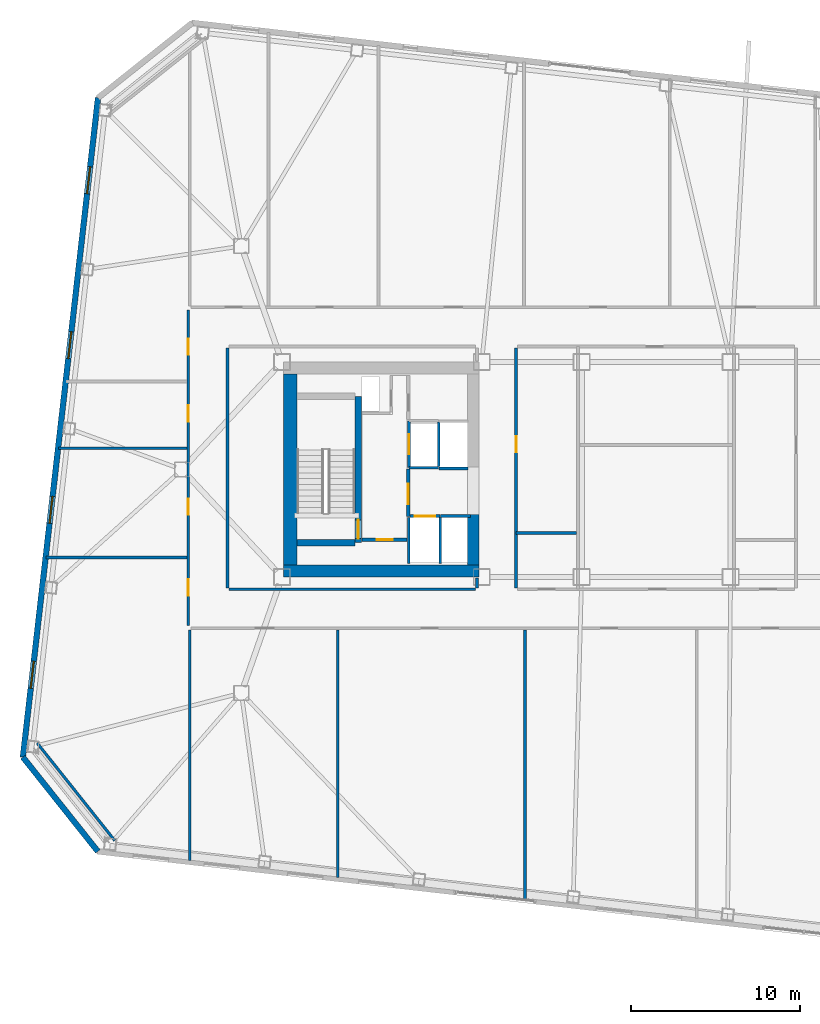
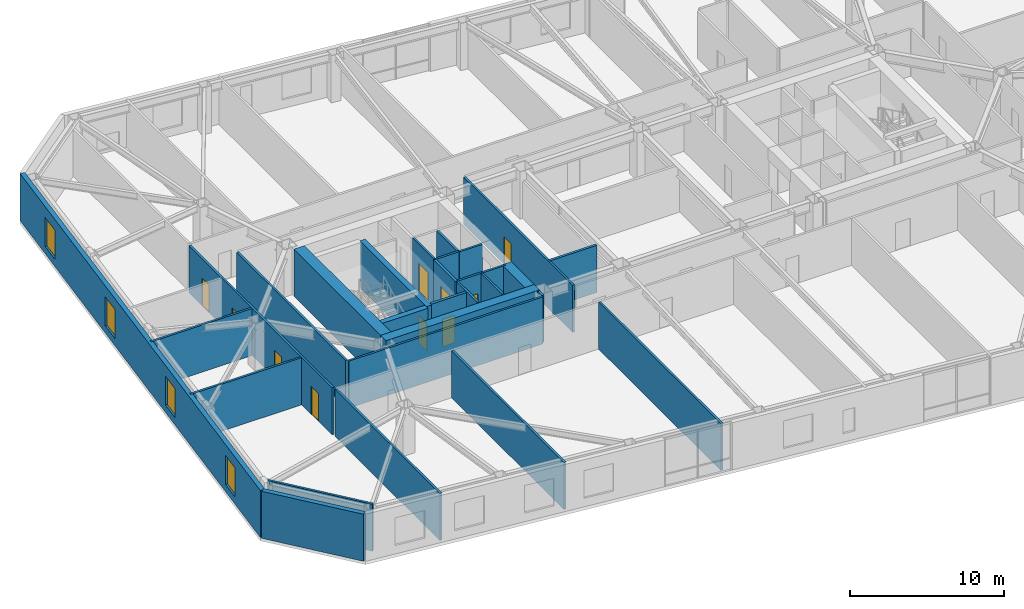
# One storey, part 12 of 21: 29 walls, 10 doors, 4 windows, 14 openings.
"""IFC4 building model written with IfcOpenShell, lengths in metres."""

from ifc_helpers import new_model, si_unit, direction, frame, frame_2d, origin, place, context, subcontext, project, spatial, rectangle, extrude, material, layer, layer_set, type_object, element, fill, save


model = new_model("IFC4")

# Units and contexts
model_context = context("Model", 3, precision=1e-05, world=origin(), true_north=direction((0.0, 1.0)))
body_context = subcontext(model_context, "Body", "Model", "MODEL_VIEW")
ifc_project = project(units=[si_unit("LENGTHUNIT", "METRE"), si_unit("AREAUNIT", "SQUARE_METRE"), si_unit("VOLUMEUNIT", "CUBIC_METRE"), si_unit("PLANEANGLEUNIT", "RADIAN"), si_unit("MASSUNIT", "GRAM", prefix="KILO")], contexts=[model_context])

# Site, building, storey
site_placement = place(None, origin())
site = spatial("IfcSite", under=ifc_project, at=site_placement, CompositionType="ELEMENT")
building_placement = place(site_placement, origin())
building = spatial("IfcBuilding", under=site, at=building_placement, Name="Tavrogorsk Clinical Tower", CompositionType="ELEMENT")
storey_placement = place(building_placement, frame((0.0, 0.0, 121.39990234375)))
storey = spatial("IfcBuildingStorey", under=building, at=storey_placement, Name="L27", CompositionType="ELEMENT", Elevation=121.39990234375)

# Wall, opening, door
ifc_material_1 = material(Name="Concrete B60", Category="concrete")
ifc_layer_1 = layer(ifc_material_1, 0.199951171875)
ifc_layer_set_1 = layer_set([ifc_layer_1], Name="Concrete B60")
wall_type_1 = type_object("IfcWallType", Name="CoreFireWall_200", PredefinedType="SOLIDWALL", material=ifc_layer_set_1)
wall_1_placement = place(storey_placement, frame((-17.3798828125, -4.139892578125, 0.0), z_axis=(0.0, 0.0, 1.0), x_axis=(1.0, 0.0, 0.0)))
wall_1 = element("IfcWall", 1, at=wall_1_placement, inside=storey, type_object=wall_type_1, Name="L27 Core West South Core Room Fire Wall", PredefinedType="SOLIDWALL", context=body_context, shape_type="SweptSolid", body=[
    extrude(rectangle(XDim=2.659912109375, YDim=0.199951171875, at=frame_2d((1.330078125, 0.0))), origin(), (0.0, 0.0, 1.0), 3.739990234375),
])
opening_1_placement = place(wall_1_placement, frame((0.8798828125, 0.0, 0.0)))
opening_1 = element("IfcOpeningElement", 2, at=opening_1_placement, cuts=wall_1, Name="Opening ID-02", PredefinedType="OPENING", context=body_context, shape_type="SweptSolid", body=[
    extrude(rectangle(XDim=0.949951171875, YDim=2.199951171875, at=frame_2d((0.47509765625, 1.10009765625))), frame((0.0, 0.10986328125, 0.0), z_axis=(0.0, -1.0, 0.0), x_axis=(1.0, 0.0, 0.0)), (0.0, 0.0, 1.0), 0.219970703125),
])
ifc_material_2 = material(Name="Laminated timber leaf on aluminium frame", Category="wood")
door_type_1 = type_object("IfcDoorType", Name="InteriorDoor_ID02_950", OperationType="NOTDEFINED", PredefinedType="DOOR", material=ifc_material_2)
door_1_placement = place(opening_1_placement, origin())
door_1 = element("IfcDoor", 3, at=door_1_placement, inside=storey, type_object=door_type_1, Name="L27 Core West South Core Room Door", OperationType="SINGLE_SWING_RIGHT", OverallHeight=2.199951171875, OverallWidth=0.949951171875, PredefinedType="DOOR", context=body_context, shape_type="SweptSolid", body=[
    extrude(rectangle(XDim=0.949951171875, YDim=2.199951171875, at=frame_2d((0.47509765625, 1.10009765625))), frame((0.0, 0.02490234375, 0.0), z_axis=(0.0, -1.0, 0.0), x_axis=(1.0, 0.0, 0.0)), (0.0, 0.0, 1.0), 0.050048828125),
])
fill(opening_1, door_1)

wall_2_placement = place(storey_placement, frame((-14.639892578125, -2.780029296875, 0.0), z_axis=(0.0, 0.0, 1.0), x_axis=(0.0, 1.0, 0.0)))
wall_2 = element("IfcWall", 4, at=wall_2_placement, inside=storey, type_object=wall_type_1, Name="L27 Core West Firefighting Lobby Fire Wall", PredefinedType="SOLIDWALL", context=body_context, shape_type="SweptSolid", body=[
    extrude(rectangle(XDim=2.820068359375, YDim=0.199951171875, at=frame_2d((1.41015625, 0.0))), origin(), (0.0, 0.0, 1.0), 3.739990234375),
])
opening_2_placement = place(wall_2_placement, frame((0.72998046875, 0.0, 0.0)))
opening_2 = element("IfcOpeningElement", 5, at=opening_2_placement, cuts=wall_2, Name="Opening FD-01", PredefinedType="OPENING", context=body_context, shape_type="SweptSolid", body=[
    extrude(rectangle(XDim=1.199951171875, YDim=2.199951171875, at=frame_2d((0.60009765625, 1.10009765625))), frame((0.0, 0.10986328125, 0.0), z_axis=(0.0, -1.0, 0.0), x_axis=(1.0, 0.0, 0.0)), (0.0, 0.0, 1.0), 0.219970703125),
])
ifc_material_3 = material(Name="Galvanised steel fire-rated door assembly", Category="steel")
door_type_2 = type_object("IfcDoorType", Name="FireDoor_FD01_1200", OperationType="NOTDEFINED", PredefinedType="DOOR", material=ifc_material_3)
door_2_placement = place(opening_2_placement, origin())
door_2 = element("IfcDoor", 6, at=door_2_placement, inside=storey, type_object=door_type_2, Name="L27 Core West Firefighting Lobby Entry Door", OperationType="SINGLE_SWING_RIGHT", OverallHeight=2.199951171875, OverallWidth=1.199951171875, PredefinedType="DOOR", context=body_context, shape_type="SweptSolid", body=[
    extrude(rectangle(XDim=1.199951171875, YDim=2.199951171875, at=frame_2d((0.60009765625, 1.10009765625))), frame((0.0, 0.02490234375, 0.0), z_axis=(0.0, -1.0, 0.0), x_axis=(1.0, 0.0, 0.0)), (0.0, 0.0, 1.0), 0.050048828125),
])
fill(opening_2, door_2)

# Wall
ifc_material_4 = material(Name="Lightweight concrete blockwork B15", Category="masonry")
ifc_layer_2 = layer(ifc_material_4, 0.159912109375)
ifc_layer_set_2 = layer_set([ifc_layer_2], Name="Lightweight concrete blockwork B15")
wall_type_2 = type_object("IfcWallType", Name="PartitionWall_160", PredefinedType="PARTITIONING", material=ifc_layer_set_2)
wall_3_placement = place(storey_placement, frame((-36.555908203125, -16.161865234375, 0.0), z_axis=(0.0, 0.0, 1.0), x_axis=(0.622522641622, -0.782601789334, 0.0)))
element("IfcWall", 7, at=wall_3_placement, inside=storey, type_object=wall_type_2, Name="L27 Corner Exoskeleton Brace Furring Wall 4", PredefinedType="PARTITIONING", context=body_context, shape_type="SweptSolid", body=[
    extrude(rectangle(XDim=7.354248046875, YDim=0.159912109375, at=frame_2d((3.67724609375, 0.0))), origin(), (0.0, 0.0, 1.0), 3.739990234375),
])

# Wall, openings, doors
wall_4_placement = place(storey_placement, frame((-27.6298828125, -9.215087890625, 0.0), z_axis=(0.0, 0.0, 1.0), x_axis=(0.0, 1.0, 0.0)))
wall_4 = element("IfcWall", 8, at=wall_4_placement, inside=storey, type_object=wall_type_2, Name="L27 Corridor Partition 01", PredefinedType="PARTITIONING", context=body_context, shape_type="SweptSolid", body=[
    extrude(rectangle(XDim=18.630126953125, YDim=0.159912109375, at=frame_2d((9.31494140625, 0.0))), origin(), (0.0, 0.0, 1.0), 3.739990234375),
])
opening_3_placement = place(wall_4_placement, frame((1.76904296875, 0.0, 0.0)))
opening_3 = element("IfcOpeningElement", 9, at=opening_3_placement, cuts=wall_4, Name="Opening ID-02", PredefinedType="OPENING", context=body_context, shape_type="SweptSolid", body=[
    extrude(rectangle(XDim=0.949951171875, YDim=2.199951171875, at=frame_2d((0.47509765625, 1.10009765625))), frame((0.0, 0.08984375, 0.0), z_axis=(0.0, -1.0, 0.0), x_axis=(1.0, 0.0, 0.0)), (0.0, 0.0, 1.0), 0.179931640625),
])
opening_4_placement = place(wall_4_placement, frame((6.550048828125, 0.0, 0.0)))
opening_4 = element("IfcOpeningElement", 10, at=opening_4_placement, cuts=wall_4, Name="Opening ID-02", PredefinedType="OPENING", context=body_context, shape_type="SweptSolid", body=[
    extrude(rectangle(XDim=0.949951171875, YDim=2.199951171875, at=frame_2d((0.47509765625, 1.10009765625))), frame((0.0, 0.08984375, 0.0), z_axis=(0.0, -1.0, 0.0), x_axis=(1.0, 0.0, 0.0)), (0.0, 0.0, 1.0), 0.179931640625),
])
opening_5_placement = place(wall_4_placement, frame((12.050048828125, 0.0, 0.0)))
opening_5 = element("IfcOpeningElement", 11, at=opening_5_placement, cuts=wall_4, Name="Opening ID-02", PredefinedType="OPENING", context=body_context, shape_type="SweptSolid", body=[
    extrude(rectangle(XDim=0.949951171875, YDim=2.199951171875, at=frame_2d((0.47509765625, 1.10009765625))), frame((0.0, 0.08984375, 0.0), z_axis=(0.0, -1.0, 0.0), x_axis=(1.0, 0.0, 0.0)), (0.0, 0.0, 1.0), 0.179931640625),
])
opening_6_placement = place(wall_4_placement, frame((15.98095703125, 0.0, 0.0)))
opening_6 = element("IfcOpeningElement", 12, at=opening_6_placement, cuts=wall_4, Name="Opening ID-02", PredefinedType="OPENING", context=body_context, shape_type="SweptSolid", body=[
    extrude(rectangle(XDim=0.949951171875, YDim=2.199951171875, at=frame_2d((0.47509765625, 1.10009765625))), frame((0.0, 0.08984375, 0.0), z_axis=(0.0, -1.0, 0.0), x_axis=(1.0, 0.0, 0.0)), (0.0, 0.0, 1.0), 0.179931640625),
])
door_3_placement = place(opening_3_placement, origin())
door_3 = element("IfcDoor", 13, at=door_3_placement, inside=storey, type_object=door_type_1, Name="L27 W Solarium Day Room & Lounge 1 Door", OperationType="SINGLE_SWING_LEFT", OverallHeight=2.199951171875, OverallWidth=0.949951171875, PredefinedType="DOOR", context=body_context, shape_type="SweptSolid", body=[
    extrude(rectangle(XDim=0.949951171875, YDim=2.199951171875, at=frame_2d((0.47509765625, 1.10009765625))), frame((0.0, 0.02490234375, 0.0), z_axis=(0.0, -1.0, 0.0), x_axis=(1.0, 0.0, 0.0)), (0.0, 0.0, 1.0), 0.050048828125),
])
fill(opening_3, door_3)
door_4_placement = place(opening_4_placement, origin())
door_4 = element("IfcDoor", 14, at=door_4_placement, inside=storey, type_object=door_type_1, Name="L27 W Rehabilitation Therapy Suite 2 Door", OperationType="SINGLE_SWING_RIGHT", OverallHeight=2.199951171875, OverallWidth=0.949951171875, PredefinedType="DOOR", context=body_context, shape_type="SweptSolid", body=[
    extrude(rectangle(XDim=0.949951171875, YDim=2.199951171875, at=frame_2d((0.47509765625, 1.10009765625))), frame((0.0, 0.02490234375, 0.0), z_axis=(0.0, -1.0, 0.0), x_axis=(1.0, 0.0, 0.0)), (0.0, 0.0, 1.0), 0.050048828125),
])
fill(opening_4, door_4)
door_5_placement = place(opening_5_placement, origin())
door_5 = element("IfcDoor", 15, at=door_5_placement, inside=storey, type_object=door_type_1, Name="L27 W Sub-Acute Observation Suite 3 Door", OperationType="SINGLE_SWING_LEFT", OverallHeight=2.199951171875, OverallWidth=0.949951171875, PredefinedType="DOOR", context=body_context, shape_type="SweptSolid", body=[
    extrude(rectangle(XDim=0.949951171875, YDim=2.199951171875, at=frame_2d((0.47509765625, 1.10009765625))), frame((0.0, 0.02490234375, 0.0), z_axis=(0.0, -1.0, 0.0), x_axis=(1.0, 0.0, 0.0)), (0.0, 0.0, 1.0), 0.050048828125),
])
fill(opening_5, door_5)
door_6_placement = place(opening_6_placement, origin())
door_6 = element("IfcDoor", 16, at=door_6_placement, inside=storey, type_object=door_type_1, Name="L27 W Family Consultation Lounge 4 Door", OperationType="SINGLE_SWING_RIGHT", OverallHeight=2.199951171875, OverallWidth=0.949951171875, PredefinedType="DOOR", context=body_context, shape_type="SweptSolid", body=[
    extrude(rectangle(XDim=0.949951171875, YDim=2.199951171875, at=frame_2d((0.47509765625, 1.10009765625))), frame((0.0, 0.02490234375, 0.0), z_axis=(0.0, -1.0, 0.0), x_axis=(1.0, 0.0, 0.0)), (0.0, 0.0, 1.0), 0.050048828125),
])
fill(opening_6, door_6)

# Wall, opening, door
wall_5_placement = place(storey_placement, frame((-8.27001953125, 7.18505859375, 0.0), z_axis=(0.0, 0.0, 1.0), x_axis=(0.0, -1.0, 0.0)))
wall_5 = element("IfcWall", 17, at=wall_5_placement, inside=storey, type_object=wall_type_2, Name="L27 Corridor Partition 16", PredefinedType="PARTITIONING", context=body_context, shape_type="SweptSolid", body=[
    extrude(rectangle(XDim=14.170166015625, YDim=0.159912109375, at=frame_2d((7.0849609375, 0.0))), origin(), (0.0, 0.0, 1.0), 3.739990234375),
])
opening_7_placement = place(wall_5_placement, frame((5.22900390625, 0.0, 0.0)))
opening_7 = element("IfcOpeningElement", 18, at=opening_7_placement, cuts=wall_5, Name="Opening ID-02", PredefinedType="OPENING", context=body_context, shape_type="SweptSolid", body=[
    extrude(rectangle(XDim=0.949951171875, YDim=2.199951171875, at=frame_2d((0.47509765625, 1.10009765625))), frame((0.0, 0.08984375, 0.0), z_axis=(0.0, -1.0, 0.0), x_axis=(1.0, 0.0, 0.0)), (0.0, 0.0, 1.0), 0.179931640625),
])
door_7_placement = place(opening_7_placement, origin())
door_7 = element("IfcDoor", 19, at=door_7_placement, inside=storey, type_object=door_type_1, Name="L27 Ward Nourishment Pantry Door", OperationType="SINGLE_SWING_RIGHT", OverallHeight=2.199951171875, OverallWidth=0.949951171875, PredefinedType="DOOR", context=body_context, shape_type="SweptSolid", body=[
    extrude(rectangle(XDim=0.949951171875, YDim=2.199951171875, at=frame_2d((0.47509765625, 1.10009765625))), frame((0.0, 0.02490234375, 0.0), z_axis=(0.0, -1.0, 0.0), x_axis=(1.0, 0.0, 0.0)), (0.0, 0.0, 1.0), 0.050048828125),
])
fill(opening_7, door_7)

# Walls
wall_6_placement = place(storey_placement, frame((-10.580078125, -6.985107421875, 0.0), z_axis=(0.0, 0.0, 1.0), x_axis=(0.0, 1.0, 0.0)))
element("IfcWall", 20, at=wall_6_placement, inside=storey, type_object=wall_type_2, Name="L27 Corridor Partition 18", PredefinedType="PARTITIONING", context=body_context, shape_type="SweptSolid", body=[
    extrude(rectangle(XDim=0.565185546875, YDim=0.159912109375, at=frame_2d((0.28271484375, 0.0))), origin(), (0.0, 0.0, 1.0), 3.739990234375),
])
wall_7_placement = place(storey_placement, frame((-25.320068359375, 7.18505859375, 0.0), z_axis=(0.0, 0.0, 1.0), x_axis=(0.0, -1.0, 0.0)))
element("IfcWall", 21, at=wall_7_placement, inside=storey, type_object=wall_type_2, Name="L27 Corridor Partition 21", PredefinedType="PARTITIONING", context=body_context, shape_type="SweptSolid", body=[
    extrude(rectangle(XDim=14.170166015625, YDim=0.159912109375, at=frame_2d((7.0849609375, 0.0))), origin(), (0.0, 0.0, 1.0), 3.739990234375),
])
wall_8_placement = place(storey_placement, frame((-25.235107421875, -7.070068359375, 0.0), z_axis=(0.0, 0.0, 1.0), x_axis=(1.0, 0.0, 0.0)))
element("IfcWall", 22, at=wall_8_placement, inside=storey, type_object=wall_type_2, Name="L27 Corridor Partition 22", PredefinedType="PARTITIONING", context=body_context, shape_type="SweptSolid", body=[
    extrude(rectangle(XDim=14.570068359375, YDim=0.159912109375, at=frame_2d((7.28515625, 0.0))), origin(), (0.0, 0.0, 1.0), 3.739990234375),
])
wall_9_placement = place(storey_placement, frame((-27.550048828125, -23.1064453125, 0.0), z_axis=(0.0, 0.0, 1.0), x_axis=(0.0, 1.0, 0.0)))
element("IfcWall", 23, at=wall_9_placement, inside=storey, type_object=wall_type_2, Name="L27 SW Wing Closure Partition", PredefinedType="PARTITIONING", context=body_context, shape_type="SweptSolid", body=[
    extrude(rectangle(XDim=13.641357421875, YDim=0.159912109375, at=frame_2d((6.82080078125, 0.0))), origin(), (0.0, 0.0, 1.0), 3.739990234375),
])
wall_10_placement = place(storey_placement, frame((-18.800048828125, -24.103515625, 0.0), z_axis=(0.0, 0.0, 1.0), x_axis=(0.0, 1.0, 0.0)))
element("IfcWall", 24, at=wall_10_placement, inside=storey, type_object=wall_type_2, Name="L27 South Room Partition 1", PredefinedType="PARTITIONING", context=body_context, shape_type="SweptSolid", body=[
    extrude(rectangle(XDim=14.638427734375, YDim=0.159912109375, at=frame_2d((7.3193359375, 0.0))), origin(), (0.0, 0.0, 1.0), 3.739990234375),
])
wall_11_placement = place(storey_placement, frame((-7.75, -25.362548828125, 0.0), z_axis=(0.0, 0.0, 1.0), x_axis=(0.0, 1.0, 0.0)))
element("IfcWall", 25, at=wall_11_placement, inside=storey, type_object=wall_type_2, Name="L27 South Sub-Partition 2", PredefinedType="PARTITIONING", context=body_context, shape_type="SweptSolid", body=[
    extrude(rectangle(XDim=15.8974609375, YDim=0.159912109375, at=frame_2d((7.94873046875, 0.0))), origin(), (0.0, 0.0, 1.0), 3.739990234375),
])
wall_12_placement = place(storey_placement, frame((-36.0419921875, -5.199951171875, 0.0), z_axis=(0.0, 0.0, 1.0), x_axis=(1.0, 0.0, 0.0)))
element("IfcWall", 26, at=wall_12_placement, inside=storey, type_object=wall_type_2, Name="L27 W Wing Divider 1", PredefinedType="PARTITIONING", context=body_context, shape_type="SweptSolid", body=[
    extrude(rectangle(XDim=8.326904296875, YDim=0.159912109375, at=frame_2d((4.16357421875, 0.0))), origin(), (0.0, 0.0, 1.0), 3.739990234375),
])
wall_13_placement = place(storey_placement, frame((-35.30712890625, 1.25, 0.0), z_axis=(0.0, 0.0, 1.0), x_axis=(1.0, 0.0, 0.0)))
element("IfcWall", 27, at=wall_13_placement, inside=storey, type_object=wall_type_2, Name="L27 W Wing Divider 2", PredefinedType="PARTITIONING", context=body_context, shape_type="SweptSolid", body=[
    extrude(rectangle(XDim=7.592041015625, YDim=0.159912109375, at=frame_2d((3.7958984375, 0.0))), origin(), (0.0, 0.0, 1.0), 3.739990234375),
])
ifc_material_5 = material(Name="Lightweight concrete blockwork B20", Category="masonry")
ifc_layer_3 = layer(ifc_material_5, 0.179931640625)
ifc_layer_set_3 = layer_set([ifc_layer_3], Name="Lightweight concrete blockwork B20")
wall_type_3 = type_object("IfcWallType", Name="PartitionWall_180", PredefinedType="PARTITIONING", material=ifc_layer_set_3)
wall_14_placement = place(storey_placement, frame((-8.264892578125, -3.75, 0.0), z_axis=(0.0, 0.0, 1.0), x_axis=(1.0, 0.0, 0.0)))
element("IfcWall", 28, at=wall_14_placement, inside=storey, type_object=wall_type_3, Name="L27 Central Spine Partition 4", PredefinedType="PARTITIONING", context=body_context, shape_type="SweptSolid", body=[
    extrude(rectangle(XDim=3.56982421875, YDim=0.179931640625, at=frame_2d((1.784912109375, 0.0))), origin(), (0.0, 0.0, 1.0), 3.739990234375),
])

# Wall, openings, windows
ifc_material_6 = material(Name="Precast concrete B45 with limestone cladding", Category="masonry")
ifc_layer_4 = layer(ifc_material_6, 0.340087890625)
ifc_layer_set_4 = layer_set([ifc_layer_4], Name="Precast concrete B45 with limestone cladding")
wall_type_4 = type_object("IfcWallType", Name="PrecastLimestoneWall_340", PredefinedType="STANDARD", material=ifc_layer_set_4)
wall_15_placement = place(storey_placement, frame((-32.968017578125, 21.95654296875, 0.0), z_axis=(0.0, 0.0, 1.0), x_axis=(-0.113201605824, -0.993572038877, 0.0)))
wall_15 = element("IfcWall", 29, at=wall_15_placement, inside=storey, type_object=wall_type_4, Name="L27 W Pleated Limestone Wing Wall", PredefinedType="STANDARD", context=body_context, shape_type="SweptSolid", body=[
    extrude(rectangle(XDim=39.199951171875, YDim=0.340087890625, at=frame_2d((19.60009765625, 0.0))), origin(), (0.0, 0.0, 1.0), 3.739990234375),
])
opening_8_placement = place(wall_15_placement, frame((4.10009765625, 0.0, 0.580078125)))
opening_8 = element("IfcOpeningElement", 30, at=opening_8_placement, cuts=wall_15, Name="Opening WN-07", PredefinedType="OPENING", context=body_context, shape_type="SweptSolid", body=[
    extrude(rectangle(XDim=1.60009765625, YDim=2.300048828125, at=frame_2d((0.800048828125, 1.14990234375))), frame((0.0, 0.179931640625, 0.0), z_axis=(0.0, -1.0, 0.0), x_axis=(1.0, 0.0, 0.0)), (0.0, 0.0, 1.0), 0.360107421875),
])
opening_9_placement = place(wall_15_placement, frame((13.89990234375, 0.0, 0.580078125)))
opening_9 = element("IfcOpeningElement", 31, at=opening_9_placement, cuts=wall_15, Name="Opening WN-07", PredefinedType="OPENING", context=body_context, shape_type="SweptSolid", body=[
    extrude(rectangle(XDim=1.60009765625, YDim=2.300048828125, at=frame_2d((0.800048828125, 1.14990234375))), frame((0.0, 0.179931640625, 0.0), z_axis=(0.0, -1.0, 0.0), x_axis=(1.0, 0.0, 0.0)), (0.0, 0.0, 1.0), 0.360107421875),
])
opening_10_placement = place(wall_15_placement, frame((23.699951171875, 0.0, 0.580078125)))
opening_10 = element("IfcOpeningElement", 32, at=opening_10_placement, cuts=wall_15, Name="Opening WN-07", PredefinedType="OPENING", context=body_context, shape_type="SweptSolid", body=[
    extrude(rectangle(XDim=1.60009765625, YDim=2.300048828125, at=frame_2d((0.800048828125, 1.14990234375))), frame((0.0, 0.179931640625, 0.0), z_axis=(0.0, -1.0, 0.0), x_axis=(1.0, 0.0, 0.0)), (0.0, 0.0, 1.0), 0.360107421875),
])
opening_11_placement = place(wall_15_placement, frame((33.5, 0.0, 0.580078125)))
opening_11 = element("IfcOpeningElement", 33, at=opening_11_placement, cuts=wall_15, Name="Opening WN-07", PredefinedType="OPENING", context=body_context, shape_type="SweptSolid", body=[
    extrude(rectangle(XDim=1.60009765625, YDim=2.300048828125, at=frame_2d((0.800048828125, 1.14990234375))), frame((0.0, 0.179931640625, 0.0), z_axis=(0.0, -1.0, 0.0), x_axis=(1.0, 0.0, 0.0)), (0.0, 0.0, 1.0), 0.360107421875),
])
ifc_material_7 = material(Name="Thermally broken aluminium frame and triple IGU", Category="aluminium")
window_type = type_object("IfcWindowType", Name="PleatSlotWin_1600x2300", PartitioningType="SINGLE_PANEL", PredefinedType="WINDOW", material=ifc_material_7)
window_1_placement = place(opening_8_placement, origin())
window_1 = element("IfcWindow", 34, at=window_1_placement, inside=storey, type_object=window_type, Name="L27 W Pleat Slot Window 1", OverallHeight=2.300048828125, OverallWidth=1.60009765625, PartitioningType="SINGLE_PANEL", PredefinedType="WINDOW", context=body_context, shape_type="SweptSolid", body=[
    extrude(rectangle(XDim=1.60009765625, YDim=2.300048828125, at=frame_2d((0.800048828125, 1.14990234375))), frame((0.0, 0.030029296875, 0.0), z_axis=(0.0, -1.0, 0.0), x_axis=(1.0, 0.0, 0.0)), (0.0, 0.0, 1.0), 0.06005859375),
])
fill(opening_8, window_1)
window_2_placement = place(opening_9_placement, origin())
window_2 = element("IfcWindow", 35, at=window_2_placement, inside=storey, type_object=window_type, Name="L27 W Pleat Slot Window 2", OverallHeight=2.300048828125, OverallWidth=1.60009765625, PartitioningType="SINGLE_PANEL", PredefinedType="WINDOW", context=body_context, shape_type="SweptSolid", body=[
    extrude(rectangle(XDim=1.60009765625, YDim=2.300048828125, at=frame_2d((0.800048828125, 1.14990234375))), frame((0.0, 0.030029296875, 0.0), z_axis=(0.0, -1.0, 0.0), x_axis=(1.0, 0.0, 0.0)), (0.0, 0.0, 1.0), 0.06005859375),
])
fill(opening_9, window_2)
window_3_placement = place(opening_10_placement, origin())
window_3 = element("IfcWindow", 36, at=window_3_placement, inside=storey, type_object=window_type, Name="L27 W Pleat Slot Window 3", OverallHeight=2.300048828125, OverallWidth=1.60009765625, PartitioningType="SINGLE_PANEL", PredefinedType="WINDOW", context=body_context, shape_type="SweptSolid", body=[
    extrude(rectangle(XDim=1.60009765625, YDim=2.300048828125, at=frame_2d((0.800048828125, 1.14990234375))), frame((0.0, 0.030029296875, 0.0), z_axis=(0.0, -1.0, 0.0), x_axis=(1.0, 0.0, 0.0)), (0.0, 0.0, 1.0), 0.06005859375),
])
fill(opening_10, window_3)
window_4_placement = place(opening_11_placement, origin())
window_4 = element("IfcWindow", 37, at=window_4_placement, inside=storey, type_object=window_type, Name="L27 W Pleat Slot Window 4", OverallHeight=2.300048828125, OverallWidth=1.60009765625, PartitioningType="SINGLE_PANEL", PredefinedType="WINDOW", context=body_context, shape_type="SweptSolid", body=[
    extrude(rectangle(XDim=1.60009765625, YDim=2.300048828125, at=frame_2d((0.800048828125, 1.14990234375))), frame((0.0, 0.030029296875, 0.0), z_axis=(0.0, -1.0, 0.0), x_axis=(1.0, 0.0, 0.0)), (0.0, 0.0, 1.0), 0.06005859375),
])
fill(opening_11, window_4)

# Wall
wall_16_placement = place(storey_placement, frame((-37.405517578125, -16.991455078125, 0.0), z_axis=(0.0, 0.0, 1.0), x_axis=(0.622507800567, -0.78261359446, 0.0)))
element("IfcWall", 38, at=wall_16_placement, inside=storey, type_object=wall_type_4, Name="L27 Chamfered Corner Wall 4", PredefinedType="STANDARD", context=body_context, shape_type="SweptSolid", body=[
    extrude(rectangle(XDim=7.113525390625, YDim=0.340087890625, at=frame_2d((3.556640625, 0.0))), origin(), (0.0, 0.0, 1.0), 3.739990234375),
])

# Wall, opening, door
ifc_material_8 = material(Name="Lightweight concrete blockwork B25", Category="masonry")
ifc_layer_5 = layer(ifc_material_8, 0.159912109375)
ifc_layer_set_5 = layer_set([ifc_layer_5], Name="Lightweight concrete blockwork B25")
wall_type_5 = type_object("IfcWallType", Name="ShaftWall_160", PredefinedType="PARTITIONING", material=ifc_layer_set_5)
wall_17_placement = place(storey_placement, frame((-14.60009765625, 0.1201171875, 0.0), z_axis=(0.0, 0.0, 1.0), x_axis=(0.0, 1.0, 0.0)))
wall_17 = element("IfcWall", 39, at=wall_17_placement, inside=storey, type_object=wall_type_5, Name="L27 FFL-W Firefighting Lift Front Wall", PredefinedType="PARTITIONING", context=body_context, shape_type="SweptSolid", body=[
    extrude(rectangle(XDim=2.739990234375, YDim=0.159912109375, at=frame_2d((1.3701171875, 0.0))), origin(), (0.0, 0.0, 1.0), 3.739990234375),
])
opening_12_placement = place(wall_17_placement, frame((0.77001953125, 0.0, 0.0)))
opening_12 = element("IfcOpeningElement", 40, at=opening_12_placement, cuts=wall_17, Name="Opening LD", PredefinedType="OPENING", context=body_context, shape_type="SweptSolid", body=[
    extrude(rectangle(XDim=1.199951171875, YDim=2.199951171875, at=frame_2d((0.60009765625, 1.10009765625))), frame((0.0, 0.08984375, 0.0), z_axis=(0.0, -1.0, 0.0), x_axis=(1.0, 0.0, 0.0)), (0.0, 0.0, 1.0), 0.179931640625),
])
ifc_material_9 = material(Name="Brushed stainless steel AISI 304 sliding doors", Category="steel")
door_type_3 = type_object("IfcDoorType", Name="LiftLandingDoor_LD_1200", OperationType="SLIDING_TO_LEFT", PredefinedType="DOOR", material=ifc_material_9)
door_8_placement = place(opening_12_placement, origin())
door_8 = element("IfcDoor", 41, at=door_8_placement, inside=storey, type_object=door_type_3, Name="L27 FFL-W Sliding Lift Landing Door", OperationType="SLIDING_TO_LEFT", OverallHeight=2.199951171875, OverallWidth=1.199951171875, PredefinedType="DOOR", context=body_context, shape_type="SweptSolid", body=[
    extrude(rectangle(XDim=1.199951171875, YDim=2.199951171875, at=frame_2d((0.60009765625, 1.10009765625))), frame((0.0, 0.02490234375, 0.0), z_axis=(0.0, -1.0, 0.0), x_axis=(1.0, 0.0, 0.0)), (0.0, 0.0, 1.0), 0.050048828125),
])
fill(opening_12, door_8)

# Walls
wall_18_placement = place(storey_placement, frame((-14.60009765625, 0.10009765625, 0.0), z_axis=(0.0, 0.0, 1.0), x_axis=(1.0, 0.0, 0.0)))
element("IfcWall", 42, at=wall_18_placement, inside=storey, type_object=wall_type_5, Name="L27 FFL-W Shaft South Wall", PredefinedType="PARTITIONING", context=body_context, shape_type="SweptSolid", body=[
    extrude(rectangle(XDim=1.760009765625, YDim=0.159912109375, at=frame_2d((0.8798828125, 0.0))), origin(), (0.0, 0.0, 1.0), 3.739990234375),
])
wall_19_placement = place(storey_placement, frame((-12.840087890625, 0.179931640625, 0.0), z_axis=(0.0, 0.0, 1.0), x_axis=(0.0, 1.0, 0.0)))
element("IfcWall", 43, at=wall_19_placement, inside=storey, type_object=wall_type_5, Name="L27 FFL-W Shaft Back Wall", PredefinedType="PARTITIONING", context=body_context, shape_type="SweptSolid", body=[
    extrude(rectangle(XDim=2.6201171875, YDim=0.159912109375, at=frame_2d((1.31005859375, 0.0))), origin(), (0.0, 0.0, 1.0), 3.739990234375),
])

# Wall, opening, door
wall_20_placement = place(storey_placement, frame((-14.530029296875, -2.75, 0.0), z_axis=(0.0, 0.0, 1.0), x_axis=(1.0, 0.0, 0.0)))
wall_20 = element("IfcWall", 44, at=wall_20_placement, inside=storey, type_object=wall_type_5, Name="L27 LP-L1 Lift Shaft Portal Wall", PredefinedType="PARTITIONING", context=body_context, shape_type="SweptSolid", body=[
    extrude(rectangle(XDim=1.760009765625, YDim=0.159912109375, at=frame_2d((0.8798828125, 0.0))), origin(), (0.0, 0.0, 1.0), 3.739990234375),
])
opening_13_placement = place(wall_20_placement, frame((0.280029296875, 0.0, 0.0)))
opening_13 = element("IfcOpeningElement", 45, at=opening_13_placement, cuts=wall_20, Name="Opening LD", PredefinedType="OPENING", context=body_context, shape_type="SweptSolid", body=[
    extrude(rectangle(XDim=1.199951171875, YDim=2.199951171875, at=frame_2d((0.60009765625, 1.10009765625))), frame((0.0, 0.08984375, 0.0), z_axis=(0.0, -1.0, 0.0), x_axis=(1.0, 0.0, 0.0)), (0.0, 0.0, 1.0), 0.179931640625),
])
door_9_placement = place(opening_13_placement, origin())
door_9 = element("IfcDoor", 46, at=door_9_placement, inside=storey, type_object=door_type_3, Name="L27 LP-L1 Sliding Lift Landing Door", OperationType="SLIDING_TO_LEFT", OverallHeight=2.199951171875, OverallWidth=1.199951171875, PredefinedType="DOOR", context=body_context, shape_type="SweptSolid", body=[
    extrude(rectangle(XDim=1.199951171875, YDim=2.199951171875, at=frame_2d((0.60009765625, 1.10009765625))), frame((0.0, 0.02490234375, 0.0), z_axis=(0.0, -1.0, 0.0), x_axis=(1.0, 0.0, 0.0)), (0.0, 0.0, 1.0), 0.050048828125),
])
fill(opening_13, door_9)

# Walls
for number, where, z_axis, x_axis, name in (
    (47, (-12.75, -5.5400390625, 0.0), (0.0, 0.0, 1.0), (0.0, 1.0, 0.0), "L27 LP-L1 Lift Hoistway Divider Wall"),
    (48, (-14.610107421875, -5.5400390625, 0.0), (0.0, 0.0, 1.0), (0.0, 1.0, 0.0), "L27 LP-L1 Lift Hoistway Outer Cheek Wall"),
):
    element("IfcWall", number, at=place(storey_placement, frame(where, z_axis=z_axis, x_axis=x_axis)), inside=storey, type_object=wall_type_5, Name=name, PredefinedType="PARTITIONING", context=body_context, shape_type="SweptSolid", body=[
        extrude(rectangle(XDim=2.699951171875, YDim=0.159912109375, at=frame_2d((1.35009765625, 0.0))), origin(), (0.0, 0.0, 1.0), 3.739990234375),
    ])
wall_21_placement = place(storey_placement, frame((-12.72998046875, -2.75, 0.0), z_axis=(0.0, 0.0, 1.0), x_axis=(1.0, 0.0, 0.0)))
element("IfcWall", 49, at=wall_21_placement, inside=storey, type_object=wall_type_5, Name="L27 LP-M1 Lift Shaft Portal Wall", PredefinedType="PARTITIONING", context=body_context, shape_type="SweptSolid", body=[
    extrude(rectangle(XDim=1.760009765625, YDim=0.159912109375, at=frame_2d((0.8798828125, 0.0))), origin(), (0.0, 0.0, 1.0), 3.739990234375),
])
wall_22_placement = place(storey_placement, frame((-12.820068359375, 0.06005859375, 0.0), z_axis=(0.0, 0.0, 1.0), x_axis=(1.0, 0.0, 0.0)))
element("IfcWall", 50, at=wall_22_placement, inside=storey, type_object=wall_type_5, Name="L27 LP-H1 High-Zone Lift Portal Wall", PredefinedType="PARTITIONING", context=body_context, shape_type="SweptSolid", body=[
    extrude(rectangle(XDim=1.719970703125, YDim=0.159912109375, at=frame_2d((0.85986328125, 0.0))), origin(), (0.0, 0.0, 1.0), 3.739990234375),
])

# Wall, opening, door
ifc_material_10 = material(Name="Concrete B80", Category="concrete")
ifc_layer_6 = layer(ifc_material_10, 0.39990234375)
ifc_layer_set_6 = layer_set([ifc_layer_6], Name="Concrete B80")
wall_type_6 = type_object("IfcWallType", Name="ShearWall_400", PredefinedType="SHEAR", material=ifc_layer_set_6)
wall_23_placement = place(storey_placement, frame((-17.60009765625, -4.324951171875, 0.0), z_axis=(0.0, 0.0, 1.0), x_axis=(0.0, 1.0, 0.0)))
wall_23 = element("IfcWall", 51, at=wall_23_placement, inside=storey, type_object=wall_type_6, Name="L27 Core West Stair Shaft Inner Shear Wall", PredefinedType="SHEAR", context=body_context, shape_type="SweptSolid", body=[
    extrude(rectangle(XDim=8.64990234375, YDim=0.39990234375, at=frame_2d((4.324951171875, 0.0))), origin(), (0.0, 0.0, 1.0), 3.739990234375),
])
opening_14_placement = place(wall_23_placement, frame((0.25, 0.0, 0.0)))
opening_14 = element("IfcOpeningElement", 52, at=opening_14_placement, cuts=wall_23, Name="Opening SD-01", PredefinedType="OPENING", context=body_context, shape_type="SweptSolid", body=[
    extrude(rectangle(XDim=1.10009765625, YDim=2.199951171875, at=frame_2d((0.550048828125, 1.10009765625))), frame((0.0, 0.2099609375, 0.0), z_axis=(0.0, -1.0, 0.0), x_axis=(1.0, 0.0, 0.0)), (0.0, 0.0, 1.0), 0.419921875),
])
ifc_material_11 = material(Name="Galvanised steel smoke-tight fire door assembly", Category="steel")
door_type_4 = type_object("IfcDoorType", Name="StairFireDoor_SD01_1100", OperationType="NOTDEFINED", PredefinedType="DOOR", material=ifc_material_11)
door_10_placement = place(opening_14_placement, origin())
door_10 = element("IfcDoor", 53, at=door_10_placement, inside=storey, type_object=door_type_4, Name="L27 ST-W Exit Stair Door", OperationType="SINGLE_SWING_RIGHT", OverallHeight=2.199951171875, OverallWidth=1.10009765625, PredefinedType="DOOR", context=body_context, shape_type="SweptSolid", body=[
    extrude(rectangle(XDim=1.10009765625, YDim=2.199951171875, at=frame_2d((0.550048828125, 1.10009765625))), frame((0.0, 0.02490234375, 0.0), z_axis=(0.0, -1.0, 0.0), x_axis=(1.0, 0.0, 0.0)), (0.0, 0.0, 1.0), 0.050048828125),
])
fill(opening_14, door_10)

# Walls
wall_24_placement = place(storey_placement, frame((-21.199951171875, -4.324951171875, 0.0), z_axis=(0.0, 0.0, 1.0), x_axis=(1.0, 0.0, 0.0)))
element("IfcWall", 54, at=wall_24_placement, inside=storey, type_object=wall_type_6, Name="L27 Core West Stair Shaft South Shear Wall", PredefinedType="SHEAR", context=body_context, shape_type="SweptSolid", body=[
    extrude(rectangle(XDim=3.39990234375, YDim=0.39990234375, at=frame_2d((1.699951171875, 0.0))), origin(), (0.0, 0.0, 1.0), 3.739990234375),
])
ifc_material_12 = material(Name="Concrete B80", Category="concrete")
ifc_layer_7 = layer(ifc_material_12, 0.699951171875)
ifc_layer_set_7 = layer_set([ifc_layer_7], Name="Concrete B80")
wall_type_7 = type_object("IfcWallType", Name="ShearWall_700", PredefinedType="SHEAR", material=ifc_layer_set_7)
wall_25_placement = place(storey_placement, frame((-22.0, -6.0, 0.0), z_axis=(0.0, 0.0, 1.0), x_axis=(1.0, 0.0, 0.0)))
element("IfcWall", 55, at=wall_25_placement, inside=storey, type_object=wall_type_7, Name="L27 Core West South Shear Wall", PredefinedType="SHEAR", context=body_context, shape_type="SweptSolid", body=[
    extrude(rectangle(XDim=11.550048828125, YDim=0.699951171875, at=frame_2d((5.77490234375, 0.0))), origin(), (0.0, 0.0, 1.0), 3.739990234375),
])
wall_26_placement = place(storey_placement, frame((-10.800048828125, -5.64990234375, 0.0), z_axis=(0.0, 0.0, 1.0), x_axis=(0.0, 1.0, 0.0)))
element("IfcWall", 56, at=wall_26_placement, inside=storey, type_object=wall_type_7, Name="L27 Core West Inner South Pier", PredefinedType="SHEAR", context=body_context, shape_type="SweptSolid", body=[
    extrude(rectangle(XDim=3.0, YDim=0.699951171875, at=frame_2d((1.5, 0.0))), origin(), (0.0, 0.0, 1.0), 3.739990234375),
])
ifc_material_13 = material(Name="Concrete B80", Category="concrete")
ifc_layer_8 = layer(ifc_material_13, 0.800048828125)
ifc_layer_set_8 = layer_set([ifc_layer_8], Name="Concrete B80")
wall_type_8 = type_object("IfcWallType", Name="ShearWall_800", PredefinedType="SHEAR", material=ifc_layer_set_8)
wall_27_placement = place(storey_placement, frame((-21.60009765625, -5.64990234375, 0.0), z_axis=(0.0, 0.0, 1.0), x_axis=(0.0, 1.0, 0.0)))
element("IfcWall", 57, at=wall_27_placement, inside=storey, type_object=wall_type_8, Name="L27 Core West End Shear Wall", PredefinedType="SHEAR", context=body_context, shape_type="SweptSolid", body=[
    extrude(rectangle(XDim=11.2998046875, YDim=0.800048828125, at=frame_2d((5.64990234375, 0.0))), origin(), (0.0, 0.0, 1.0), 3.739990234375),
])

save(model, "model.ifc")
